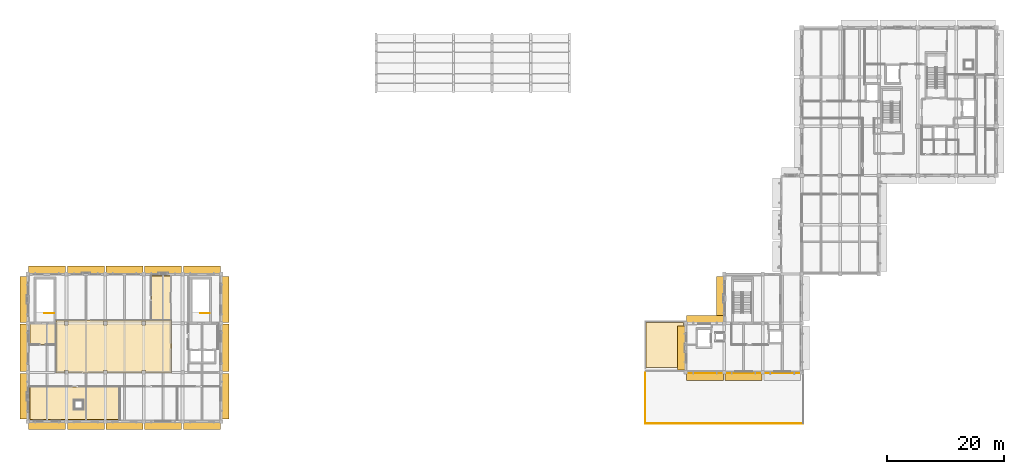
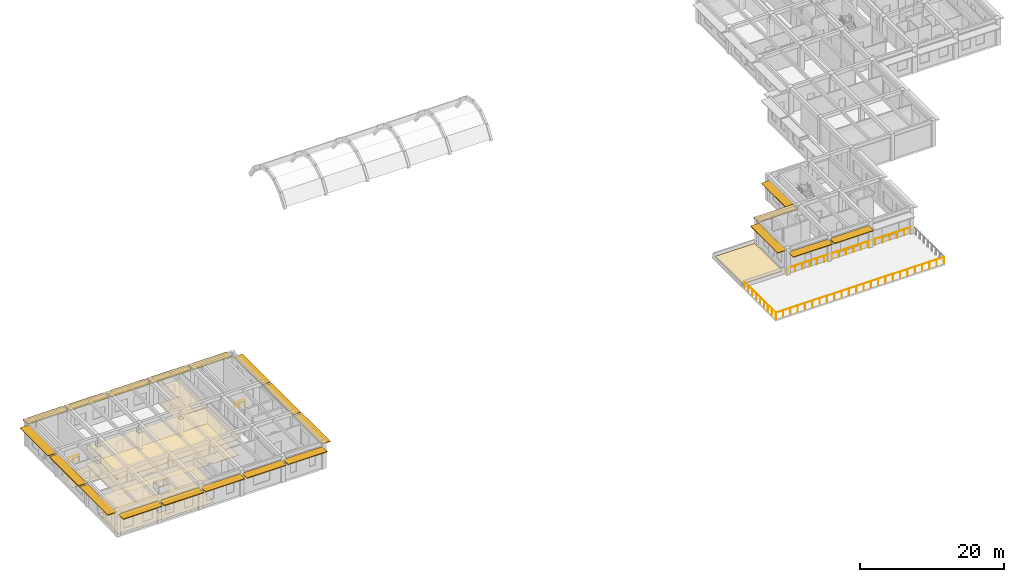
# One storey, part 17 of 20: 21 shading devices, 8 coverings, 5 railings.
"""IFC4 building model written with IfcOpenShell, lengths in metres."""

import ifcopenshell
import ifcopenshell.guid

model = None  # the IFC model being written
_history = None  # IfcOwnerHistory: only IFC2X3 demands one
_inside = {}  # id of a spatial element -> (the spatial element, [elements in it])
_under = {}  # id of a project, library or spatial element -> (it, [spatial elements below it])
_declared = {}  # id of a project -> (the project, [libraries it declares])
_typed = {}  # id of a type object -> (the type object, [elements of that type])
_made_of = {}  # id of a material, layer set ... -> (it, [elements and type objects made of it])


def new_model(schema):
    """Start an empty IFC model of exactly this schema.

    Asked for "IFC4X3", IfcOpenShell would pick the latest addendum, in which some entities
    have other attributes; the version numbers below select the first issue.
    IFC2X3 requires an IfcOwnerHistory on every rooted entity: one is made here for all.
    """
    global model, _history
    if schema == "IFC4X3":
        model = ifcopenshell.file(schema_version=(4, 3, 0, 0))
    else:
        model = ifcopenshell.file(schema=schema)
    _inside.clear()
    _under.clear()
    _declared.clear()
    _typed.clear()
    _made_of.clear()
    _history = None
    if model.schema == "IFC2X3":
        org = make("IfcOrganization", Name="unknown")
        user = make(
            "IfcPersonAndOrganization",
            ThePerson=make("IfcPerson", FamilyName="unknown"),
            TheOrganization=org,
        )
        app = make(
            "IfcApplication",
            ApplicationDeveloper=org,
            Version="unknown",
            ApplicationFullName="unknown",
            ApplicationIdentifier="unknown",
        )
        _history = make(
            "IfcOwnerHistory",
            OwningUser=user,
            OwningApplication=app,
            ChangeAction="ADDED",
            CreationDate=0,
        )
    return model


def make(cls, **values):
    """One entity of the class cls with the attributes given. An attribute that is None is left unset."""
    return model.create_entity(
        cls, **{name: value for name, value in values.items() if value is not None}
    )


def rooted(cls, **values):
    """An entity with a GlobalId (a new one), such as an element, a storey or a relation."""
    return make(cls, GlobalId=ifcopenshell.guid.new(), OwnerHistory=_history, **values)


def si_unit(unit_type, name, prefix=None):
    """IfcSIUnit, for example si_unit("LENGTHUNIT", "METRE", prefix="MILLI")."""
    return make("IfcSIUnit", UnitType=unit_type, Prefix=prefix, Name=name)


def assignment(units):
    """IfcUnitAssignment: the units of a project."""
    return None if units is None else make("IfcUnitAssignment", Units=units)


def point(xyz):
    """IfcCartesianPoint."""
    return None if xyz is None else make("IfcCartesianPoint", Coordinates=xyz)


def direction(xyz):
    """IfcDirection."""
    return None if xyz is None else make("IfcDirection", DirectionRatios=xyz)


def frame(location, z_axis=None, x_axis=None):
    """IfcAxis2Placement3D, a coordinate frame: its origin and axes. An axis left out is left unset."""
    return make(
        "IfcAxis2Placement3D",
        Location=point(location),
        Axis=direction(z_axis),
        RefDirection=direction(x_axis),
    )


def frame_2d(location, x_axis=None):
    """IfcAxis2Placement2D, a coordinate frame in the plane: its origin and x axis."""
    return make(
        "IfcAxis2Placement2D", Location=point(location), RefDirection=direction(x_axis)
    )


def origin():
    """The frame at (0, 0, 0) with its axes left unset."""
    return frame((0.0, 0.0, 0.0))


def origin_2d():
    """The frame at (0, 0) in the plane with its x axis left unset."""
    return frame_2d((0.0, 0.0))


def place(relative_to, where):
    """IfcLocalPlacement: puts the frame where relative to a parent placement (None: the world)."""
    return make(
        "IfcLocalPlacement", PlacementRelTo=relative_to, RelativePlacement=where
    )


def context(
    kind, dimensions, precision=None, world=None, true_north=None, identifier=None
):
    """IfcGeometricRepresentationContext, for example the 3D "Model" context."""
    return make(
        "IfcGeometricRepresentationContext",
        ContextIdentifier=identifier,
        ContextType=kind,
        CoordinateSpaceDimension=dimensions,
        Precision=precision,
        WorldCoordinateSystem=world,
        TrueNorth=true_north,
    )


def subcontext(parent, identifier, kind, view, scale=None):
    """IfcGeometricRepresentationSubContext, for example "Body" below "Model"."""
    return make(
        "IfcGeometricRepresentationSubContext",
        ContextIdentifier=identifier,
        ContextType=kind,
        ParentContext=parent,
        TargetScale=scale,
        TargetView=view,
    )


def project(units=None, contexts=None):
    """IfcProject with its units and contexts."""
    return rooted(
        "IfcProject",
        Name="project",
        RepresentationContexts=contexts,
        UnitsInContext=assignment(units),
    )


def spatial(cls, under=None, at=None, **own):
    """A site, building, storey or space (cls), placed at a placement, below another one or the project."""
    s = rooted(cls, ObjectPlacement=at, **own)
    if under is not None:
        _under.setdefault(under.id(), (under, []))[1].append(s)
    return s


def polyline(points):
    """IfcPolyline through the points."""
    return make("IfcPolyline", Points=[point(p) for p in points])


def profile(cls, at=None, kind="AREA", **sizes):
    """A parametric profile (cls). Its sizes go by their IFC names, for example OverallWidth=200.0."""
    return make(cls, ProfileType=kind, Position=at, **sizes)


def rectangle(**sizes):
    """IfcRectangleProfileDef."""
    return profile("IfcRectangleProfileDef", **sizes)


def circle(**sizes):
    """IfcCircleProfileDef."""
    return profile("IfcCircleProfileDef", **sizes)


def outline(outer, holes=None, kind="AREA"):
    """IfcArbitraryClosedProfileDef: a profile drawn as a closed curve; with holes, ...WithVoids."""
    if holes is None:
        return make("IfcArbitraryClosedProfileDef", ProfileType=kind, OuterCurve=outer)
    return make(
        "IfcArbitraryProfileDefWithVoids",
        ProfileType=kind,
        OuterCurve=outer,
        InnerCurves=holes,
    )


def extrude(swept, where, along, depth):
    """IfcExtrudedAreaSolid: the profile swept, set in the frame where, extruded along a direction by depth."""
    return make(
        "IfcExtrudedAreaSolid",
        SweptArea=swept,
        Position=where,
        ExtrudedDirection=direction(along),
        Depth=depth,
    )


def shape(context_of_items, identifier, shape_type, items):
    """IfcShapeRepresentation: the items that make up one representation, for example the "Body"."""
    return make(
        "IfcShapeRepresentation",
        ContextOfItems=context_of_items,
        RepresentationIdentifier=identifier,
        RepresentationType=shape_type,
        Items=items,
    )


def material(Name=None, Category=None):
    """IfcMaterial."""
    return make("IfcMaterial", Name=Name, Category=Category)


def layer(
    of_material, thickness, ventilated=None, Name=None, Category=None, Priority=None
):
    """IfcMaterialLayer: one layer of a wall or slab, of a material (None: an air gap)."""
    return make(
        "IfcMaterialLayer",
        Material=of_material,
        LayerThickness=thickness,
        IsVentilated=ventilated,
        Name=Name,
        Category=Category,
        Priority=Priority,
    )


def layer_set(layers, Name=None):
    """IfcMaterialLayerSet."""
    return make("IfcMaterialLayerSet", MaterialLayers=layers, LayerSetName=Name)


def made_of(thing, what):
    """Note that an element or type object is made of a material, layer set ...; save() writes the relation."""
    if what is not None:
        _made_of.setdefault(what.id(), (what, []))[1].append(thing)
    return thing


def type_object(cls, material=None, **own):
    """A type object (cls), such as IfcWallType, which elements share."""
    return made_of(rooted(cls, **own), material)


def element(
    cls,
    number,
    at=None,
    inside=None,
    cuts=None,
    type_object=None,
    material=None,
    context=None,
    identifier="Body",
    shape_type=None,
    held_by="IfcProductDefinitionShape",
    body=None,
    shapes=None,
    **own,
):
    """One element of the class cls, such as IfcWall. Its Tag is "e" and its number.

    at: its placement. inside: the storey or other place that contains it. cuts: it is an
    opening in that element (IfcRelVoidsElement). A single representation is given by context,
    identifier, shape_type and body (its items); several are given by shapes. held_by: the class
    of the entity that holds the representations. save() writes the other relations.
    """
    e = rooted(cls, Tag="e%d" % number, ObjectPlacement=at, **own)
    if body is not None:
        shapes = [shape(context, identifier, shape_type, body)]
    if shapes is not None:
        e.Representation = make(held_by, Representations=shapes)
    if inside is not None:
        _inside.setdefault(inside.id(), (inside, []))[1].append(e)
    if cuts is not None:
        rooted(
            "IfcRelVoidsElement", RelatingBuildingElement=cuts, RelatedOpeningElement=e
        )
    if type_object is not None:
        _typed.setdefault(type_object.id(), (type_object, []))[1].append(e)
    return made_of(e, material)


def aggregate(whole, parts):
    """IfcRelAggregates: a whole, such as a stair, and the parts it consists of."""
    return rooted("IfcRelAggregates", RelatingObject=whole, RelatedObjects=parts)


def save(model, path):
    """Write the relations noted so far, then the file.

    IfcRelAggregates (storeys below a building ...), IfcRelContainedInSpatialStructure (elements
    in a storey), IfcRelDefinesByType, IfcRelAssociatesMaterial and IfcRelDeclares: one each for
    every whole, place, type object, material and project.
    """
    for whole, parts in _under.values():
        aggregate(whole, parts)
    for where, things in _inside.values():
        rooted(
            "IfcRelContainedInSpatialStructure",
            RelatedElements=things,
            RelatingStructure=where,
        )
    for kind, things in _typed.values():
        rooted("IfcRelDefinesByType", RelatedObjects=things, RelatingType=kind)
    for what, things in _made_of.values():
        rooted("IfcRelAssociatesMaterial", RelatedObjects=things, RelatingMaterial=what)
    for by, libraries in _declared.values():
        rooted("IfcRelDeclares", RelatingContext=by, RelatedDefinitions=libraries)
    model.write(path)


model = new_model("IFC4")

# Units and contexts
model_context = context("Model", 3, precision=1e-05, world=origin(), true_north=direction((0.0, 1.0)))
body_context = subcontext(model_context, "Body", "Model", "MODEL_VIEW")
ifc_project = project(units=[si_unit("LENGTHUNIT", "METRE"), si_unit("AREAUNIT", "SQUARE_METRE"), si_unit("VOLUMEUNIT", "CUBIC_METRE"), si_unit("PLANEANGLEUNIT", "RADIAN"), si_unit("MASSUNIT", "GRAM", prefix="KILO")], contexts=[model_context])

# Site, building, storey
site_placement = place(None, origin())
site = spatial("IfcSite", under=ifc_project, at=site_placement, CompositionType="ELEMENT")
building_placement = place(site_placement, origin())
building = spatial("IfcBuilding", under=site, at=building_placement, Name="Kolvaren Faculty of Natural Sciences", CompositionType="ELEMENT")
storey_placement = place(building_placement, frame((0.0, 0.0, 24.0)))
storey = spatial("IfcBuildingStorey", under=building, at=storey_placement, Name="L05", CompositionType="ELEMENT", Elevation=24.0)

# Coverings
ifc_material_1 = material(Name="Perforated mineral-fibre acoustic suspended ceiling tile")
ifc_layer_1 = layer(ifc_material_1, 0.02490234375)
ifc_layer_set_1 = layer_set([ifc_layer_1], Name="Perforated mineral-fibre acoustic suspended ceiling tile")
covering_type_1 = type_object("IfcCoveringType", Name="AcousticSuspendedCeiling_25", PredefinedType="CEILING", material=ifc_layer_set_1)
covering_1_placement = place(storey_placement, frame((0.0, 0.0, 2.824951171875)))
element("IfcCovering", 1, at=covering_1_placement, inside=storey, type_object=covering_type_1, Name="L05 L05 Wet Chemistry Teaching Laboratory acoustic ceiling", PredefinedType="CEILING", context=body_context, shape_type="SweptSolid", body=[
    extrude(outline(polyline([(22.580078125, 17.219970703125), (20.300048828125, 17.219970703125), (20.300048828125, 17.300048828125), (19.699951171875, 17.300048828125), (19.699951171875, 17.219970703125), (13.699951171875, 17.219970703125), (13.699951171875, 17.300048828125), (13.10009765625, 17.300048828125), (13.10009765625, 17.219970703125), (7.10009765625, 17.219970703125), (7.10009765625, 17.300048828125), (7.02001953125, 17.300048828125), (7.02001953125, 23.080078125), (22.580078125, 23.080078125), (22.580078125, 17.219970703125)]), holes=[polyline([(16.280029296875, 19.1201171875), (16.280029296875, 20.679931640625), (14.719970703125, 20.679931640625), (14.719970703125, 19.1201171875), (16.280029296875, 19.1201171875)])]), origin(), (0.0, 0.0, 1.0), 0.025146484375),
])
covering_2_placement = place(storey_placement, frame((0.0, 0.0, 2.824951171875)))
element("IfcCovering", 2, at=covering_2_placement, inside=storey, type_object=covering_type_1, Name="L05 L05 Analytical Spectroscopy Laboratory acoustic ceiling", PredefinedType="CEILING", context=body_context, shape_type="SweptSolid", body=[
    extrude(outline(polyline([(31.280029296875, 25.320068359375), (26.89990234375, 25.320068359375), (26.89990234375, 25.699951171875), (26.300048828125, 25.699951171875), (26.300048828125, 25.320068359375), (20.300048828125, 25.320068359375), (20.300048828125, 25.699951171875), (19.699951171875, 25.699951171875), (19.699951171875, 25.320068359375), (13.699951171875, 25.320068359375), (13.699951171875, 25.699951171875), (13.10009765625, 25.699951171875), (13.10009765625, 25.320068359375), (11.570068359375, 25.320068359375), (11.570068359375, 34.3798828125), (31.280029296875, 34.3798828125), (31.280029296875, 25.320068359375)]), holes=[polyline([(19.699951171875, 33.5), (20.300048828125, 33.5), (20.300048828125, 34.10009765625), (19.699951171875, 34.10009765625), (19.699951171875, 33.5)]), polyline([(26.300048828125, 33.5), (26.89990234375, 33.5), (26.89990234375, 34.10009765625), (26.300048828125, 34.10009765625), (26.300048828125, 33.5)]), polyline([(13.10009765625, 33.5), (13.699951171875, 33.5), (13.699951171875, 34.10009765625), (13.10009765625, 34.10009765625), (13.10009765625, 33.5)])]), origin(), (0.0, 0.0, 1.0), 0.025146484375),
])
covering_3_placement = place(storey_placement, frame((0.0, 0.0, 2.824951171875)))
element("IfcCovering", 3, at=covering_3_placement, inside=storey, type_object=covering_type_1, Name="L05 L05 Interdisciplinary Research Laboratory 29 acoustic ceiling", PredefinedType="CEILING", context=body_context, shape_type="SweptSolid", body=[
    extrude(outline(polyline([(27.719970703125, 34.219970703125), (27.719970703125, 41.97998046875), (31.280029296875, 41.97998046875), (31.280029296875, 34.219970703125), (27.719970703125, 34.219970703125)])), origin(), (0.0, 0.0, 1.0), 0.025146484375),
])

# Shading devices
ifc_material_2 = material(Name="Precast concrete C35/45", Category="concrete")
ifc_layer_2 = layer(ifc_material_2, 0.1201171875)
ifc_layer_set_2 = layer_set([ifc_layer_2], Name="Precast concrete C35/45")
shading_device_type = type_object("IfcShadingDeviceType", Name="ChhajjaSolarHood_1350", PredefinedType="AWNING", material=ifc_layer_set_2)
shading_device_1_placement = place(storey_placement, frame((122.300048828125, 34.455078125, 3.494873046875), z_axis=(0.0, 0.0, 1.0), x_axis=(1.0, 0.0, 0.0)))
element("IfcShadingDevice", 4, at=shading_device_1_placement, inside=storey, type_object=shading_device_type, Name="L05 precast sandstone chhajja solar hood 133", PredefinedType="AWNING", context=body_context, shape_type="SweptSolid", body=[
    extrude(rectangle(XDim=6.300048828125, YDim=1.35009765625, at=origin_2d()), origin(), (0.0, 0.0, 1.0), 0.1201171875),
])
shading_device_2_placement = place(storey_placement, frame((124.945068359375, 38.0, 3.494873046875), z_axis=(0.0, 0.0, 1.0), x_axis=(0.0, 1.0, 0.0)))
element("IfcShadingDevice", 5, at=shading_device_2_placement, inside=storey, type_object=shading_device_type, Name="L05 precast sandstone chhajja solar hood 134", PredefinedType="AWNING", context=body_context, shape_type="SweptSolid", body=[
    extrude(rectangle(XDim=7.5400390625, YDim=1.35009765625, at=origin_2d()), origin(), (0.0, 0.0, 1.0), 0.1201171875),
])
for number, where, z_axis, x_axis, name in (
    (6, (128.89990234375, 24.7451171875, 3.494873046875), (0.0, 0.0, 1.0), (-1.0, 0.0, 0.0), "L05 precast sandstone chhajja solar hood 157"),
    (7, (122.300048828125, 24.7451171875, 3.494873046875), (0.0, 0.0, 1.0), (-1.0, 0.0, 0.0), "L05 precast sandstone chhajja solar hood 158"),
):
    element("IfcShadingDevice", number, at=place(storey_placement, frame(where, z_axis=z_axis, x_axis=x_axis)), inside=storey, type_object=shading_device_type, Name=name, PredefinedType="AWNING", context=body_context, shape_type="SweptSolid", body=[
        extrude(rectangle(XDim=6.300048828125, YDim=1.35009765625, at=origin_2d()), origin(), (0.0, 0.0, 1.0), 0.1201171875),
    ])
shading_device_3_placement = place(storey_placement, frame((118.344970703125, 29.60009765625, 3.64501953125), z_axis=(0.0, 0.0, 1.0), x_axis=(0.0, 1.0, 0.0)))
element("IfcShadingDevice", 8, at=shading_device_3_placement, inside=storey, type_object=shading_device_type, Name="L05 precast sandstone chhajja solar hood 159", PredefinedType="AWNING", context=body_context, shape_type="SweptSolid", body=[
    extrude(rectangle(XDim=7.5400390625, YDim=1.35009765625, at=origin_2d()), origin(), (0.0, 0.0, 1.0), 0.1201171875),
])
for number, where, z_axis, x_axis, name in (
    (9, (10.10009765625, 42.85498046875, 3.494873046875), (0.0, 0.0, 1.0), (1.0, 0.0, 0.0), "L05 precast sandstone chhajja solar hood 160"),
    (10, (16.699951171875, 42.85498046875, 3.494873046875), (0.0, 0.0, 1.0), (1.0, 0.0, 0.0), "L05 precast sandstone chhajja solar hood 161"),
    (11, (23.300048828125, 42.85498046875, 3.494873046875), (0.0, 0.0, 1.0), (1.0, 0.0, 0.0), "L05 precast sandstone chhajja solar hood 162"),
    (12, (29.89990234375, 42.85498046875, 3.494873046875), (0.0, 0.0, 1.0), (1.0, 0.0, 0.0), "L05 precast sandstone chhajja solar hood 163"),
    (13, (36.5, 42.85498046875, 3.494873046875), (0.0, 0.0, 1.0), (1.0, 0.0, 0.0), "L05 precast sandstone chhajja solar hood 164"),
):
    element("IfcShadingDevice", number, at=place(storey_placement, frame(where, z_axis=z_axis, x_axis=x_axis)), inside=storey, type_object=shading_device_type, Name=name, PredefinedType="AWNING", context=body_context, shape_type="SweptSolid", body=[
        extrude(rectangle(XDim=6.300048828125, YDim=1.35009765625, at=origin_2d()), origin(), (0.0, 0.0, 1.0), 0.1201171875),
    ])
shading_device_4_placement = place(storey_placement, frame((40.455078125, 37.860107421875, 3.64501953125), z_axis=(0.0, 0.0, 1.0), x_axis=(0.0, -1.0, 0.0)))
element("IfcShadingDevice", 14, at=shading_device_4_placement, inside=storey, type_object=shading_device_type, Name="L05 precast sandstone chhajja solar hood 165", PredefinedType="AWNING", context=body_context, shape_type="SweptSolid", body=[
    extrude(rectangle(XDim=7.820068359375, YDim=1.35009765625, at=origin_2d()), origin(), (0.0, 0.0, 1.0), 0.1201171875),
])
shading_device_5_placement = place(storey_placement, frame((40.455078125, 29.60009765625, 3.64501953125), z_axis=(0.0, 0.0, 1.0), x_axis=(0.0, -1.0, 0.0)))
element("IfcShadingDevice", 15, at=shading_device_5_placement, inside=storey, type_object=shading_device_type, Name="L05 precast sandstone chhajja solar hood 166", PredefinedType="AWNING", context=body_context, shape_type="SweptSolid", body=[
    extrude(rectangle(XDim=8.10009765625, YDim=1.35009765625, at=origin_2d()), origin(), (0.0, 0.0, 1.0), 0.1201171875),
])
shading_device_6_placement = place(storey_placement, frame((40.455078125, 21.340087890625, 3.64501953125), z_axis=(0.0, 0.0, 1.0), x_axis=(0.0, -1.0, 0.0)))
element("IfcShadingDevice", 16, at=shading_device_6_placement, inside=storey, type_object=shading_device_type, Name="L05 precast sandstone chhajja solar hood 167", PredefinedType="AWNING", context=body_context, shape_type="SweptSolid", body=[
    extrude(rectangle(XDim=7.820068359375, YDim=1.35009765625, at=origin_2d()), origin(), (0.0, 0.0, 1.0), 0.1201171875),
])
for number, where, z_axis, x_axis, name in (
    (17, (36.5, 16.344970703125, 3.494873046875), (0.0, 0.0, 1.0), (-1.0, 0.0, 0.0), "L05 precast sandstone chhajja solar hood 168"),
    (18, (29.89990234375, 16.344970703125, 3.494873046875), (0.0, 0.0, 1.0), (-1.0, 0.0, 0.0), "L05 precast sandstone chhajja solar hood 169"),
    (19, (23.300048828125, 16.344970703125, 3.494873046875), (0.0, 0.0, 1.0), (-1.0, 0.0, 0.0), "L05 precast sandstone chhajja solar hood 170"),
    (20, (16.699951171875, 16.344970703125, 3.494873046875), (0.0, 0.0, 1.0), (-1.0, 0.0, 0.0), "L05 precast sandstone chhajja solar hood 171"),
    (21, (10.10009765625, 16.344970703125, 3.494873046875), (0.0, 0.0, 1.0), (-1.0, 0.0, 0.0), "L05 precast sandstone chhajja solar hood 172"),
):
    element("IfcShadingDevice", number, at=place(storey_placement, frame(where, z_axis=z_axis, x_axis=x_axis)), inside=storey, type_object=shading_device_type, Name=name, PredefinedType="AWNING", context=body_context, shape_type="SweptSolid", body=[
        extrude(rectangle(XDim=6.300048828125, YDim=1.35009765625, at=origin_2d()), origin(), (0.0, 0.0, 1.0), 0.1201171875),
    ])
shading_device_7_placement = place(storey_placement, frame((6.14501953125, 21.340087890625, 3.64501953125), z_axis=(0.0, 0.0, 1.0), x_axis=(0.0, 1.0, 0.0)))
element("IfcShadingDevice", 22, at=shading_device_7_placement, inside=storey, type_object=shading_device_type, Name="L05 precast sandstone chhajja solar hood 173", PredefinedType="AWNING", context=body_context, shape_type="SweptSolid", body=[
    extrude(rectangle(XDim=7.820068359375, YDim=1.35009765625, at=origin_2d()), origin(), (0.0, 0.0, 1.0), 0.1201171875),
])
shading_device_8_placement = place(storey_placement, frame((6.14501953125, 29.60009765625, 3.64501953125), z_axis=(0.0, 0.0, 1.0), x_axis=(0.0, 1.0, 0.0)))
element("IfcShadingDevice", 23, at=shading_device_8_placement, inside=storey, type_object=shading_device_type, Name="L05 precast sandstone chhajja solar hood 174", PredefinedType="AWNING", context=body_context, shape_type="SweptSolid", body=[
    extrude(rectangle(XDim=8.10009765625, YDim=1.35009765625, at=origin_2d()), origin(), (0.0, 0.0, 1.0), 0.1201171875),
])
shading_device_9_placement = place(storey_placement, frame((6.14501953125, 37.860107421875, 3.64501953125), z_axis=(0.0, 0.0, 1.0), x_axis=(0.0, 1.0, 0.0)))
element("IfcShadingDevice", 24, at=shading_device_9_placement, inside=storey, type_object=shading_device_type, Name="L05 precast sandstone chhajja solar hood 175", PredefinedType="AWNING", context=body_context, shape_type="SweptSolid", body=[
    extrude(rectangle(XDim=7.820068359375, YDim=1.35009765625, at=origin_2d()), origin(), (0.0, 0.0, 1.0), 0.1201171875),
])

# Railings
ifc_material_3 = material(Name="Structural steel EN 10210-1 S355J2H", Category="steel")
ifc_layer_3 = layer(ifc_material_3, 0.048095703125)
ifc_layer_set_3 = layer_set([ifc_layer_3], Name="Structural steel EN 10210-1 S355J2H")
railing_type_1 = type_object("IfcRailingType", Name="GuardRailing_GRD110", PredefinedType="BALUSTRADE", material=ifc_layer_set_3)
railing_1_placement = place(storey_placement, frame((112.1201171875, 16.719970703125, 0.0)))
element("IfcRailing", 25, at=railing_1_placement, inside=storey, type_object=railing_type_1, Name="L05 Computational Sciences Chahar-Bagh Roof Terrace perimeter balustrade 16", PredefinedType="BALUSTRADE", context=body_context, shape_type="SweptSolid", body=[
    extrude(circle(Radius=0.02392578125, at=origin_2d()), frame((0.0, 0.0, 1.09619140625), z_axis=(0.0, 1.0, 0.0), x_axis=(-1.0, 0.0, 0.0)), (0.0, 0.0, 1.0), 8.650146484375),
    extrude(circle(Radius=0.02099609375, at=origin_2d()), origin(), (0.0, 0.0, 1.0), 1.072021484375),
    extrude(circle(Radius=0.02099609375, at=origin_2d()), frame((0.0, 1.081298828125, 0.0)), (0.0, 0.0, 1.0), 1.072021484375),
    extrude(circle(Radius=0.02099609375, at=origin_2d()), frame((0.0, 2.16259765625, 0.0)), (0.0, 0.0, 1.0), 1.072021484375),
    extrude(circle(Radius=0.02099609375, at=origin_2d()), frame((0.0, 3.243896484375, 0.0)), (0.0, 0.0, 1.0), 1.072021484375),
    extrude(circle(Radius=0.02099609375, at=origin_2d()), frame((0.0, 4.3251953125, 0.0)), (0.0, 0.0, 1.0), 1.072021484375),
    extrude(circle(Radius=0.02099609375, at=origin_2d()), frame((0.0, 5.40625, 0.0)), (0.0, 0.0, 1.0), 1.072021484375),
    extrude(circle(Radius=0.02099609375, at=origin_2d()), frame((0.0, 6.487548828125, 0.0)), (0.0, 0.0, 1.0), 1.072021484375),
    extrude(circle(Radius=0.02099609375, at=origin_2d()), frame((0.0, 7.56884765625, 0.0)), (0.0, 0.0, 1.0), 1.072021484375),
    extrude(circle(Radius=0.02099609375, at=origin_2d()), frame((0.0, 8.650146484375, 0.0)), (0.0, 0.0, 1.0), 1.072021484375),
])
railing_2_placement = place(storey_placement, frame((119.0, 25.280029296875, 0.0)))
element("IfcRailing", 26, at=railing_2_placement, inside=storey, type_object=railing_type_1, Name="L05 Computational Sciences Chahar-Bagh Roof Terrace perimeter balustrade 17", PredefinedType="BALUSTRADE", context=body_context, shape_type="SweptSolid", body=[
    extrude(circle(Radius=0.02392578125, at=origin_2d()), frame((0.0, 0.0, 1.09619140625), z_axis=(1.0, 0.0, 0.0), x_axis=(0.0, 1.0, 0.0)), (0.0, 0.0, 1.0), 19.800048828125),
    extrude(circle(Radius=0.02099609375, at=origin_2d()), origin(), (0.0, 0.0, 1.0), 1.072021484375),
    extrude(circle(Radius=0.02099609375, at=origin_2d()), frame((1.164794921875, 0.0, 0.0)), (0.0, 0.0, 1.0), 1.072021484375),
    extrude(circle(Radius=0.02099609375, at=origin_2d()), frame((2.329345703125, 0.0, 0.0)), (0.0, 0.0, 1.0), 1.072021484375),
    extrude(circle(Radius=0.02099609375, at=origin_2d()), frame((3.494140625, 0.0, 0.0)), (0.0, 0.0, 1.0), 1.072021484375),
    extrude(circle(Radius=0.02099609375, at=origin_2d()), frame((4.658935546875, 0.0, 0.0)), (0.0, 0.0, 1.0), 1.072021484375),
    extrude(circle(Radius=0.02099609375, at=origin_2d()), frame((5.823486328125, 0.0, 0.0)), (0.0, 0.0, 1.0), 1.072021484375),
    extrude(circle(Radius=0.02099609375, at=origin_2d()), frame((6.98828125, 0.0, 0.0)), (0.0, 0.0, 1.0), 1.072021484375),
    extrude(circle(Radius=0.02099609375, at=origin_2d()), frame((8.153076171875, 0.0, 0.0)), (0.0, 0.0, 1.0), 1.072021484375),
    extrude(circle(Radius=0.02099609375, at=origin_2d()), frame((9.317626953125, 0.0, 0.0)), (0.0, 0.0, 1.0), 1.072021484375),
    extrude(circle(Radius=0.02099609375, at=origin_2d()), frame((10.482421875, 0.0, 0.0)), (0.0, 0.0, 1.0), 1.072021484375),
    extrude(circle(Radius=0.02099609375, at=origin_2d()), frame((11.64697265625, 0.0, 0.0)), (0.0, 0.0, 1.0), 1.072021484375),
    extrude(circle(Radius=0.02099609375, at=origin_2d()), frame((12.811767578125, 0.0, 0.0)), (0.0, 0.0, 1.0), 1.072021484375),
    extrude(circle(Radius=0.02099609375, at=origin_2d()), frame((13.9765625, 0.0, 0.0)), (0.0, 0.0, 1.0), 1.072021484375),
    extrude(circle(Radius=0.02099609375, at=origin_2d()), frame((15.14111328125, 0.0, 0.0)), (0.0, 0.0, 1.0), 1.072021484375),
    extrude(circle(Radius=0.02099609375, at=origin_2d()), frame((16.305908203125, 0.0, 0.0)), (0.0, 0.0, 1.0), 1.072021484375),
    extrude(circle(Radius=0.02099609375, at=origin_2d()), frame((17.470703125, 0.0, 0.0)), (0.0, 0.0, 1.0), 1.072021484375),
    extrude(circle(Radius=0.02099609375, at=origin_2d()), frame((18.63525390625, 0.0, 0.0)), (0.0, 0.0, 1.0), 1.072021484375),
    extrude(circle(Radius=0.02099609375, at=origin_2d()), frame((19.800048828125, 0.0, 0.0)), (0.0, 0.0, 1.0), 1.072021484375),
])
railing_3_placement = place(storey_placement, frame((139.080078125, 16.719970703125, 0.0)))
element("IfcRailing", 27, at=railing_3_placement, inside=storey, type_object=railing_type_1, Name="L05 Computational Sciences Chahar-Bagh Roof Terrace perimeter balustrade 20", PredefinedType="BALUSTRADE", context=body_context, shape_type="SweptSolid", body=[
    extrude(circle(Radius=0.02392578125, at=origin_2d()), frame((0.0, 0.0, 1.09619140625), z_axis=(-1.0, 0.0, 0.0), x_axis=(0.0, -1.0, 0.0)), (0.0, 0.0, 1.0), 26.9599609375),
    extrude(circle(Radius=0.02099609375, at=origin_2d()), origin(), (0.0, 0.0, 1.0), 1.072021484375),
    extrude(circle(Radius=0.02099609375, at=origin_2d()), frame((-1.172119140625, 0.0, 0.0)), (0.0, 0.0, 1.0), 1.072021484375),
    extrude(circle(Radius=0.02099609375, at=origin_2d()), frame((-2.34423828125, 0.0, 0.0)), (0.0, 0.0, 1.0), 1.072021484375),
    extrude(circle(Radius=0.02099609375, at=origin_2d()), frame((-3.5166015625, 0.0, 0.0)), (0.0, 0.0, 1.0), 1.072021484375),
    extrude(circle(Radius=0.02099609375, at=origin_2d()), frame((-4.688720703125, 0.0, 0.0)), (0.0, 0.0, 1.0), 1.072021484375),
    extrude(circle(Radius=0.02099609375, at=origin_2d()), frame((-5.86083984375, 0.0, 0.0)), (0.0, 0.0, 1.0), 1.072021484375),
    extrude(circle(Radius=0.02099609375, at=origin_2d()), frame((-7.032958984375, 0.0, 0.0)), (0.0, 0.0, 1.0), 1.072021484375),
    extrude(circle(Radius=0.02099609375, at=origin_2d()), frame((-8.205322265625, 0.0, 0.0)), (0.0, 0.0, 1.0), 1.072021484375),
    extrude(circle(Radius=0.02099609375, at=origin_2d()), frame((-9.37744140625, 0.0, 0.0)), (0.0, 0.0, 1.0), 1.072021484375),
    extrude(circle(Radius=0.02099609375, at=origin_2d()), frame((-10.549560546875, 0.0, 0.0)), (0.0, 0.0, 1.0), 1.072021484375),
    extrude(circle(Radius=0.02099609375, at=origin_2d()), frame((-11.7216796875, 0.0, 0.0)), (0.0, 0.0, 1.0), 1.072021484375),
    extrude(circle(Radius=0.02099609375, at=origin_2d()), frame((-12.893798828125, 0.0, 0.0)), (0.0, 0.0, 1.0), 1.072021484375),
    extrude(circle(Radius=0.02099609375, at=origin_2d()), frame((-14.066162109375, 0.0, 0.0)), (0.0, 0.0, 1.0), 1.072021484375),
    extrude(circle(Radius=0.02099609375, at=origin_2d()), frame((-15.23828125, 0.0, 0.0)), (0.0, 0.0, 1.0), 1.072021484375),
    extrude(circle(Radius=0.02099609375, at=origin_2d()), frame((-16.410400390625, 0.0, 0.0)), (0.0, 0.0, 1.0), 1.072021484375),
    extrude(circle(Radius=0.02099609375, at=origin_2d()), frame((-17.58251953125, 0.0, 0.0)), (0.0, 0.0, 1.0), 1.072021484375),
    extrude(circle(Radius=0.02099609375, at=origin_2d()), frame((-18.754638671875, 0.0, 0.0)), (0.0, 0.0, 1.0), 1.072021484375),
    extrude(circle(Radius=0.02099609375, at=origin_2d()), frame((-19.927001953125, 0.0, 0.0)), (0.0, 0.0, 1.0), 1.072021484375),
    extrude(circle(Radius=0.02099609375, at=origin_2d()), frame((-21.09912109375, 0.0, 0.0)), (0.0, 0.0, 1.0), 1.072021484375),
    extrude(circle(Radius=0.02099609375, at=origin_2d()), frame((-22.271240234375, 0.0, 0.0)), (0.0, 0.0, 1.0), 1.072021484375),
    extrude(circle(Radius=0.02099609375, at=origin_2d()), frame((-23.443359375, 0.0, 0.0)), (0.0, 0.0, 1.0), 1.072021484375),
    extrude(circle(Radius=0.02099609375, at=origin_2d()), frame((-24.61572265625, 0.0, 0.0)), (0.0, 0.0, 1.0), 1.072021484375),
    extrude(circle(Radius=0.02099609375, at=origin_2d()), frame((-25.787841796875, 0.0, 0.0)), (0.0, 0.0, 1.0), 1.072021484375),
    extrude(circle(Radius=0.02099609375, at=origin_2d()), frame((-26.9599609375, 0.0, 0.0)), (0.0, 0.0, 1.0), 1.072021484375),
])

# Coverings
ifc_material_4 = material(Name="SBS polymer-modified bitumen waterproofing membrane over PIR insulation")
ifc_layer_4 = layer(ifc_material_4, 0.139892578125)
ifc_layer_set_4 = layer_set([ifc_layer_4], Name="SBS polymer-modified bitumen waterproofing membrane over PIR insulation")
covering_type_2 = type_object("IfcCoveringType", Name="InsulatedRoofMembrane_140", PredefinedType="ROOFING", material=ifc_layer_set_4)
covering_4_placement = place(storey_placement, origin())
element("IfcCovering", 28, at=covering_4_placement, inside=storey, type_object=covering_type_2, Name="L05 insulated warm-roof waterproofing membrane 1", PredefinedType="ROOFING", context=body_context, shape_type="SweptSolid", body=[
    extrude(outline(polyline([(112.2900390625, 33.909912109375), (118.678466796875, 33.909912109375), (118.676513671875, 33.904052734375), (118.67578125, 33.902099609375), (118.67138671875, 33.88720703125), (118.6708984375, 33.88525390625), (118.664306640625, 33.853759765625), (118.6640625, 33.851806640625), (118.660400390625, 33.818115234375), (118.660400390625, 33.81591796875), (118.659912109375, 33.800048828125), (118.659912109375, 26.27001953125), (112.2900390625, 26.27001953125), (112.2900390625, 33.909912109375)])), origin(), (0.0, 0.0, 1.0), 0.139892578125),
])
ifc_material_5 = material(Name="Seamless chemical-resistant laboratory epoxy resin flooring")
ifc_layer_5 = layer(ifc_material_5, 0.02001953125)
ifc_layer_set_5 = layer_set([ifc_layer_5], Name="Seamless chemical-resistant laboratory epoxy resin flooring")
covering_type_3 = type_object("IfcCoveringType", Name="LabEpoxyFloorFinish_20", PredefinedType="FLOORING", material=ifc_layer_set_5)
covering_5_placement = place(storey_placement, origin())
element("IfcCovering", 29, at=covering_5_placement, inside=storey, type_object=covering_type_3, Name="L05 L05 Wet Chemistry Teaching Laboratory floor finish", PredefinedType="FLOORING", context=body_context, shape_type="SweptSolid", body=[
    extrude(outline(polyline([(7.139892578125, 17.340087890625), (7.139892578125, 22.93994140625), (22.43994140625, 22.93994140625), (22.43994140625, 17.340087890625), (7.139892578125, 17.340087890625)]), holes=[polyline([(14.634033203125, 20.819580078125), (14.62841796875, 20.81884765625), (14.62255859375, 20.8173828125), (14.616943359375, 20.8154296875), (14.61181640625, 20.81298828125), (14.606689453125, 20.809814453125), (14.601806640625, 20.806396484375), (14.59765625, 20.802490234375), (14.593505859375, 20.798095703125), (14.590087890625, 20.793212890625), (14.587158203125, 20.788330078125), (14.584716796875, 20.782958984375), (14.58251953125, 20.77734375), (14.581298828125, 20.771728515625), (14.580322265625, 20.765869140625), (14.580078125, 20.760009765625), (14.580078125, 19.0400390625), (14.580322265625, 19.0341796875), (14.581298828125, 19.0283203125), (14.58251953125, 19.022705078125), (14.584716796875, 19.01708984375), (14.587158203125, 19.01171875), (14.590087890625, 19.006591796875), (14.593505859375, 19.001953125), (14.59765625, 18.99755859375), (14.601806640625, 18.99365234375), (14.606689453125, 18.989990234375), (14.61181640625, 18.987060546875), (14.616943359375, 18.984619140625), (14.62255859375, 18.982666015625), (14.62841796875, 18.981201171875), (14.634033203125, 18.980224609375), (14.639892578125, 18.97998046875), (16.360107421875, 18.97998046875), (16.365966796875, 18.980224609375), (16.37158203125, 18.981201171875), (16.37744140625, 18.982666015625), (16.383056640625, 18.984619140625), (16.38818359375, 18.987060546875), (16.393310546875, 18.989990234375), (16.398193359375, 18.99365234375), (16.40234375, 18.99755859375), (16.406494140625, 19.001953125), (16.409912109375, 19.006591796875), (16.412841796875, 19.01171875), (16.415283203125, 19.01708984375), (16.41748046875, 19.022705078125), (16.418701171875, 19.0283203125), (16.419677734375, 19.0341796875), (16.419921875, 19.0400390625), (16.419921875, 20.760009765625), (16.419677734375, 20.765869140625), (16.418701171875, 20.771728515625), (16.41748046875, 20.77734375), (16.415283203125, 20.782958984375), (16.412841796875, 20.788330078125), (16.409912109375, 20.793212890625), (16.406494140625, 20.798095703125), (16.40234375, 20.802490234375), (16.398193359375, 20.806396484375), (16.393310546875, 20.809814453125), (16.38818359375, 20.81298828125), (16.383056640625, 20.8154296875), (16.37744140625, 20.8173828125), (16.37158203125, 20.81884765625), (16.365966796875, 20.819580078125), (16.360107421875, 20.820068359375), (14.639892578125, 20.820068359375), (14.634033203125, 20.819580078125)])]), origin(), (0.0, 0.0, 1.0), 0.02001953125),
])
covering_6_placement = place(storey_placement, origin())
element("IfcCovering", 30, at=covering_6_placement, inside=storey, type_object=covering_type_3, Name="L05 L05 Analytical Spectroscopy Laboratory floor finish", PredefinedType="FLOORING", context=body_context, shape_type="SweptSolid", body=[
    extrude(outline(polyline([(31.139892578125, 34.239990234375), (31.139892578125, 25.4599609375), (26.89990234375, 25.4599609375), (26.89990234375, 25.699951171875), (26.300048828125, 25.699951171875), (26.300048828125, 25.4599609375), (20.300048828125, 25.4599609375), (20.300048828125, 25.699951171875), (19.699951171875, 25.699951171875), (19.699951171875, 25.4599609375), (13.699951171875, 25.4599609375), (13.699951171875, 25.699951171875), (13.10009765625, 25.699951171875), (13.10009765625, 25.4599609375), (11.7099609375, 25.4599609375), (11.7099609375, 34.239990234375), (31.139892578125, 34.239990234375)]), holes=[polyline([(19.699951171875, 33.5), (20.300048828125, 33.5), (20.300048828125, 34.10009765625), (19.699951171875, 34.10009765625), (19.699951171875, 33.5)]), polyline([(26.300048828125, 33.5), (26.89990234375, 33.5), (26.89990234375, 34.10009765625), (26.300048828125, 34.10009765625), (26.300048828125, 33.5)]), polyline([(13.10009765625, 33.5), (13.699951171875, 33.5), (13.699951171875, 34.10009765625), (13.10009765625, 34.10009765625), (13.10009765625, 33.5)])]), origin(), (0.0, 0.0, 1.0), 0.02001953125),
])
covering_7_placement = place(storey_placement, origin())
element("IfcCovering", 31, at=covering_7_placement, inside=storey, type_object=covering_type_3, Name="L05 L05 Interdisciplinary Research Laboratory 29 floor finish", PredefinedType="FLOORING", context=body_context, shape_type="SweptSolid", body=[
    extrude(outline(polyline([(31.139892578125, 34.360107421875), (27.860107421875, 34.360107421875), (27.860107421875, 41.860107421875), (31.139892578125, 41.860107421875), (31.139892578125, 34.360107421875)])), origin(), (0.0, 0.0, 1.0), 0.02001953125),
])

# Railings
ifc_layer_6 = layer(ifc_material_3, 0.048095703125)
ifc_layer_set_6 = layer_set([ifc_layer_6], Name="Structural steel EN 10210-1 S355J2H")
railing_type_2 = type_object("IfcRailingType", Name="StairWellGuard_1100", PredefinedType="BALUSTRADE", material=ifc_layer_set_6)
for number, where, name in (
    (32, (37.85009765625, 35.5, 0.0), "L05 ST-4 top well guard 1"),
    (33, (11.300048828125, 35.5, 0.0), "L05 ST-8 top well guard 1"),
):
    element("IfcRailing", number, at=place(storey_placement, frame(where)), inside=storey, type_object=railing_type_2, Name=name, PredefinedType="BALUSTRADE", context=body_context, shape_type="SweptSolid", body=[
        extrude(circle(Radius=0.02392578125, at=origin_2d()), frame((0.0, 0.0, 1.076171875), z_axis=(-1.0, 0.0, 0.0), x_axis=(0.0, -1.0, 0.0)), (0.0, 0.0, 1.0), 1.650146484375),
        extrude(circle(Radius=0.02099609375, at=origin_2d()), origin(), (0.0, 0.0, 1.0), 1.052001953125),
        extrude(circle(Radius=0.02099609375, at=origin_2d()), frame((-0.8251953125, 0.0, 0.0)), (0.0, 0.0, 1.0), 1.052001953125),
        extrude(circle(Radius=0.02099609375, at=origin_2d()), frame((-1.650146484375, 0.0, 0.0)), (0.0, 0.0, 1.0), 1.052001953125),
    ])

# Covering
ifc_material_6 = material(Name="Polished Uruguayan grey granite terrazzo flooring", Category="masonry")
ifc_layer_7 = layer(ifc_material_6, 0.030029296875)
ifc_layer_set_7 = layer_set([ifc_layer_7], Name="Polished Uruguayan grey granite terrazzo flooring")
covering_type_4 = type_object("IfcCoveringType", Name="TerrazzoFloorFinish_30", PredefinedType="FLOORING", material=ifc_layer_set_7)
covering_8_placement = place(storey_placement, origin())
element("IfcCovering", 34, at=covering_8_placement, inside=storey, type_object=covering_type_4, Name="L05 L05 Protected Stair Lobby ST-8 floor finish", PredefinedType="FLOORING", context=body_context, shape_type="SweptSolid", body=[
    extrude(outline(polyline([(7.139892578125, 30.159912109375), (7.139892578125, 33.639892578125), (11.590087890625, 33.639892578125), (11.590087890625, 30.159912109375), (7.139892578125, 30.159912109375)])), origin(), (0.0, 0.0, 1.0), 0.030029296875),
])

save(model, "model.ifc")
